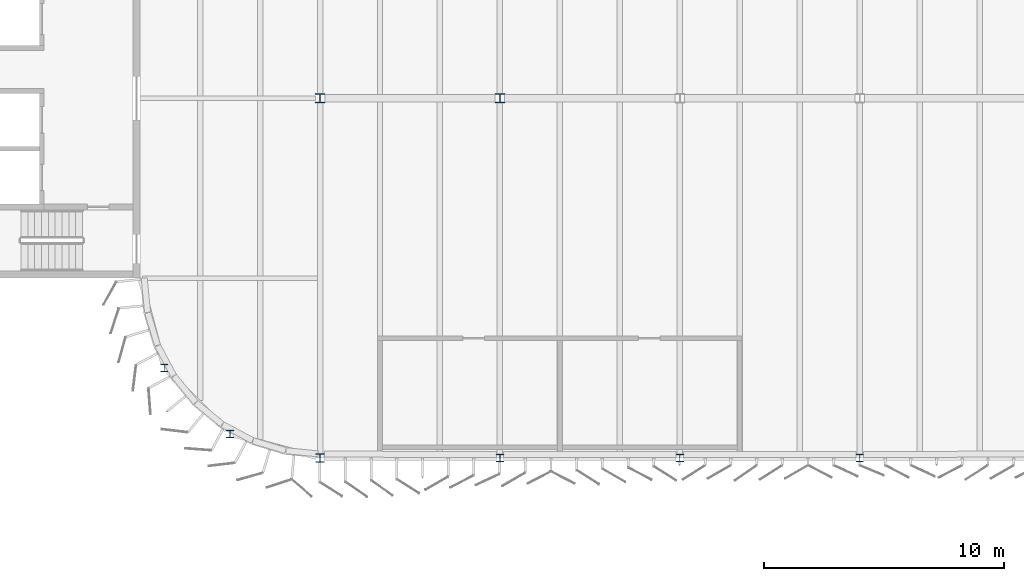
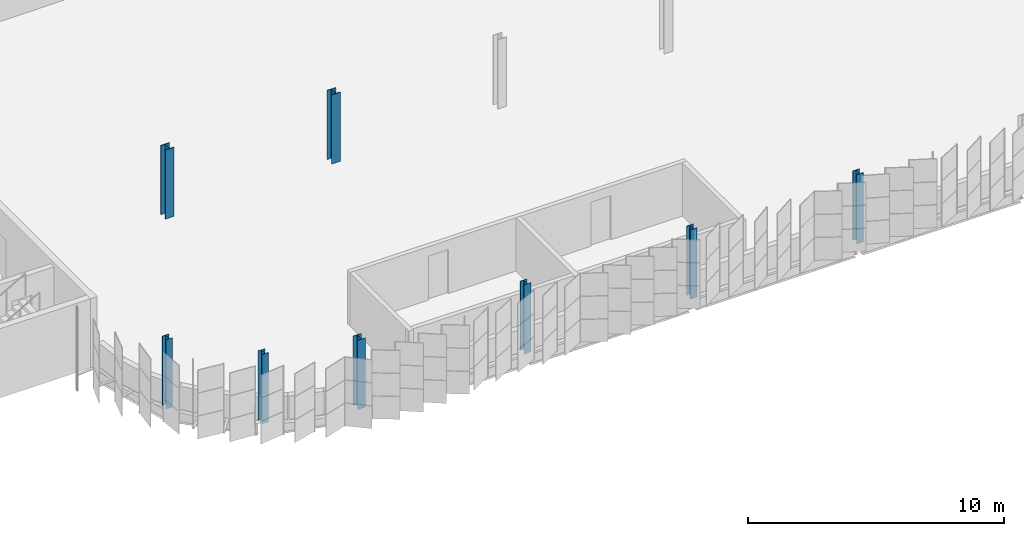
# One storey, part 14 of 214: 8 columns.
"""IFC4 building model written with IfcOpenShell, lengths in metres."""

from ifc_helpers import new_model, si_unit, direction, frame, origin, origin_2d, place, context, subcontext, project, spatial, i_section, extrude, material, material_profile, profile_set, type_object, element, save


model = new_model("IFC4")

# Units and contexts
model_context = context("Model", 3, precision=1e-05, world=origin(), true_north=direction((0.0, 1.0)))
body_context = subcontext(model_context, "Body", "Model", "MODEL_VIEW")
ifc_project = project(units=[si_unit("LENGTHUNIT", "METRE"), si_unit("AREAUNIT", "SQUARE_METRE"), si_unit("VOLUMEUNIT", "CUBIC_METRE"), si_unit("PLANEANGLEUNIT", "RADIAN"), si_unit("MASSUNIT", "GRAM", prefix="KILO")], contexts=[model_context])

# Site, building, storey
site_placement = place(None, origin())
site = spatial("IfcSite", under=ifc_project, at=site_placement, CompositionType="ELEMENT")
building_placement = place(site_placement, origin())
building = spatial("IfcBuilding", under=site, at=building_placement, Name="Parallax Yard Mobility Hub", CompositionType="ELEMENT")
storey_placement = place(building_placement, frame((0.0, 0.0, 3.300048828125)))
storey = spatial("IfcBuildingStorey", under=building, at=storey_placement, Name="L01", CompositionType="ELEMENT", Elevation=3.300048828125)

# Columns
ifc_material = material(Name="Steel ASTM A992", Category="steel")
ifc_material_profile_1 = material_profile(ifc_material, i_section(OverallWidth=0.304931640625, OverallDepth=0.31201171875, WebThickness=0.010986328125, FlangeThickness=0.01708984375, FilletRadius=0.015380859375, at=origin_2d()), Name="W310x107")
ifc_profile_set_1 = profile_set([ifc_material_profile_1], Name="Steel ASTM A992")
column_type_1 = type_object("IfcColumnType", Name="W310x107 column", PredefinedType="COLUMN", material=ifc_profile_set_1)
for number, where, z_axis, x_axis, name in (
    (1, (37.5, 112.5, 0.0), (0.0, 0.0, 1.0), (1.0, 0.0, 0.0), "Column C2 level L01 at R/6 of ramped parking decks"),
    (2, (45.0, 112.5, 0.0), (0.0, 0.0, 1.0), (1.0, 0.0, 0.0), "Column C2 level L01 at R/7 of ramped parking decks"),
    (3, (52.5, 112.5, 0.0), (0.0, 0.0, 1.0), (1.0, 0.0, 0.0), "Column C2 level L01 at R/8 of ramped parking decks"),
):
    element("IfcColumn", number, at=place(storey_placement, frame(where, z_axis=z_axis, x_axis=x_axis)), inside=storey, type_object=column_type_1, Name=name, PredefinedType="COLUMN", context=body_context, shape_type="SweptSolid", body=[
        extrude(i_section(OverallWidth=0.304931640625, OverallDepth=0.31201171875, WebThickness=0.010986328125, FlangeThickness=0.01708984375, FilletRadius=0.015380859375, at=origin_2d()), origin(), (0.0, 0.0, 1.0), 3.300048828125),
    ])
ifc_material_profile_2 = material_profile(ifc_material, i_section(OverallWidth=0.304931640625, OverallDepth=0.306884765625, WebThickness=0.010009765625, FlangeThickness=0.015380859375, FilletRadius=0.01513671875, at=origin_2d()), Name="W310x97")
ifc_profile_set_2 = profile_set([ifc_material_profile_2], Name="Steel ASTM A992")
column_type_2 = type_object("IfcColumnType", Name="W310x97 column", PredefinedType="COLUMN", material=ifc_profile_set_2)
for number, where, z_axis, x_axis, name in (
    (4, (23.5048828125, 116.25, 0.0), (0.0, 0.0, 1.0), (1.0, 0.0, 0.0), "Column C1 level L01 at W-S1 of ramped parking decks"),
    (5, (26.25, 113.5048828125, 0.0), (0.0, 0.0, 1.0), (1.0, 0.0, 0.0), "Column C1 level L01 at W-S2 of ramped parking decks"),
):
    element("IfcColumn", number, at=place(storey_placement, frame(where, z_axis=z_axis, x_axis=x_axis)), inside=storey, type_object=column_type_2, Name=name, PredefinedType="COLUMN", context=body_context, shape_type="SweptSolid", body=[
        extrude(i_section(OverallWidth=0.304931640625, OverallDepth=0.306884765625, WebThickness=0.010009765625, FlangeThickness=0.015380859375, FilletRadius=0.01513671875, at=origin_2d()), origin(), (0.0, 0.0, 1.0), 3.300048828125),
    ])
ifc_material_profile_3 = material_profile(ifc_material, i_section(OverallWidth=0.367919921875, OverallDepth=0.35595703125, WebThickness=0.01123046875, FlangeThickness=0.01806640625, FilletRadius=0.015380859375, at=origin_2d()), Name="W360x134")
ifc_profile_set_3 = profile_set([ifc_material_profile_3], Name="Steel ASTM A992")
column_type_3 = type_object("IfcColumnType", Name="W360x134 column", PredefinedType="COLUMN", material=ifc_profile_set_3)
column_1_placement = place(storey_placement, frame((30.0, 112.5, 0.0), z_axis=(0.0, 0.0, 1.0), x_axis=(1.0, 0.0, 0.0)))
element("IfcColumn", 6, at=column_1_placement, inside=storey, type_object=column_type_3, Name="Column C4 level L01 at R/5 of ramped parking decks", PredefinedType="COLUMN", context=body_context, shape_type="SweptSolid", body=[
    extrude(i_section(OverallWidth=0.367919921875, OverallDepth=0.35595703125, WebThickness=0.01123046875, FlangeThickness=0.01806640625, FilletRadius=0.015380859375, at=origin_2d()), origin(), (0.0, 0.0, 1.0), 3.300048828125),
])
ifc_material_profile_4 = material_profile(ifc_material, i_section(OverallWidth=0.39404296875, OverallDepth=0.3759765625, WebThickness=0.017333984375, FlangeThickness=0.027587890625, FilletRadius=0.01513671875, at=origin_2d()), Name="W360x216")
ifc_profile_set_4 = profile_set([ifc_material_profile_4], Name="Steel ASTM A992")
column_type_4 = type_object("IfcColumnType", Name="W360x216 column", PredefinedType="COLUMN", material=ifc_profile_set_4)
column_2_placement = place(storey_placement, frame((37.5, 127.5, 0.0), z_axis=(0.0, 0.0, 1.0), x_axis=(1.0, 0.0, 0.0)))
element("IfcColumn", 7, at=column_2_placement, inside=storey, type_object=column_type_4, Name="Column C9 level L01 at T/6 of ramped parking decks", PredefinedType="COLUMN", context=body_context, shape_type="SweptSolid", body=[
    extrude(i_section(OverallWidth=0.39404296875, OverallDepth=0.3759765625, WebThickness=0.017333984375, FlangeThickness=0.027587890625, FilletRadius=0.01513671875, at=origin_2d()), origin(), (0.0, 0.0, 1.0), 3.300048828125),
])
ifc_material_profile_5 = material_profile(ifc_material, i_section(OverallWidth=0.39599609375, OverallDepth=0.381103515625, WebThickness=0.018798828125, FlangeThickness=0.0302734375, FilletRadius=0.015380859375, at=origin_2d()), Name="W360x237")
ifc_profile_set_5 = profile_set([ifc_material_profile_5], Name="Steel ASTM A992")
column_type_5 = type_object("IfcColumnType", Name="W360x237 column", PredefinedType="COLUMN", material=ifc_profile_set_5)
column_3_placement = place(storey_placement, frame((30.0, 127.5, 0.0), z_axis=(0.0, 0.0, 1.0), x_axis=(1.0, 0.0, 0.0)))
element("IfcColumn", 8, at=column_3_placement, inside=storey, type_object=column_type_5, Name="Column C10 level L01 at T/5 of ramped parking decks", PredefinedType="COLUMN", context=body_context, shape_type="SweptSolid", body=[
    extrude(i_section(OverallWidth=0.39599609375, OverallDepth=0.381103515625, WebThickness=0.018798828125, FlangeThickness=0.0302734375, FilletRadius=0.015380859375, at=origin_2d()), origin(), (0.0, 0.0, 1.0), 3.300048828125),
])

save(model, "model.ifc")
